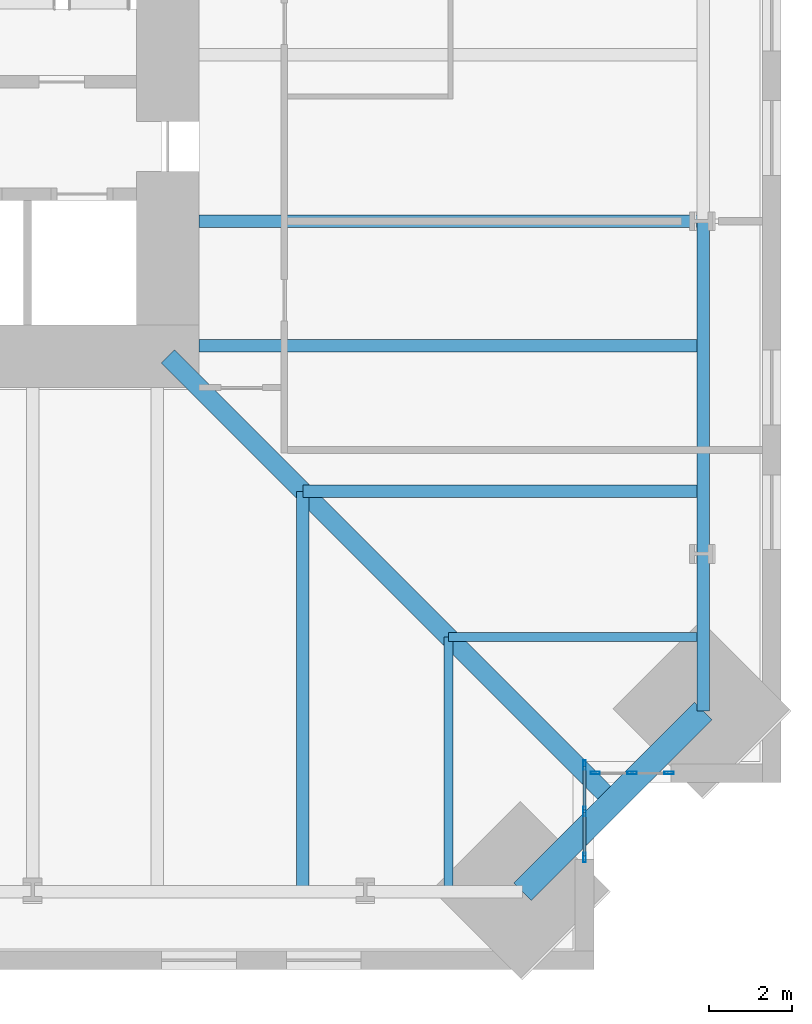
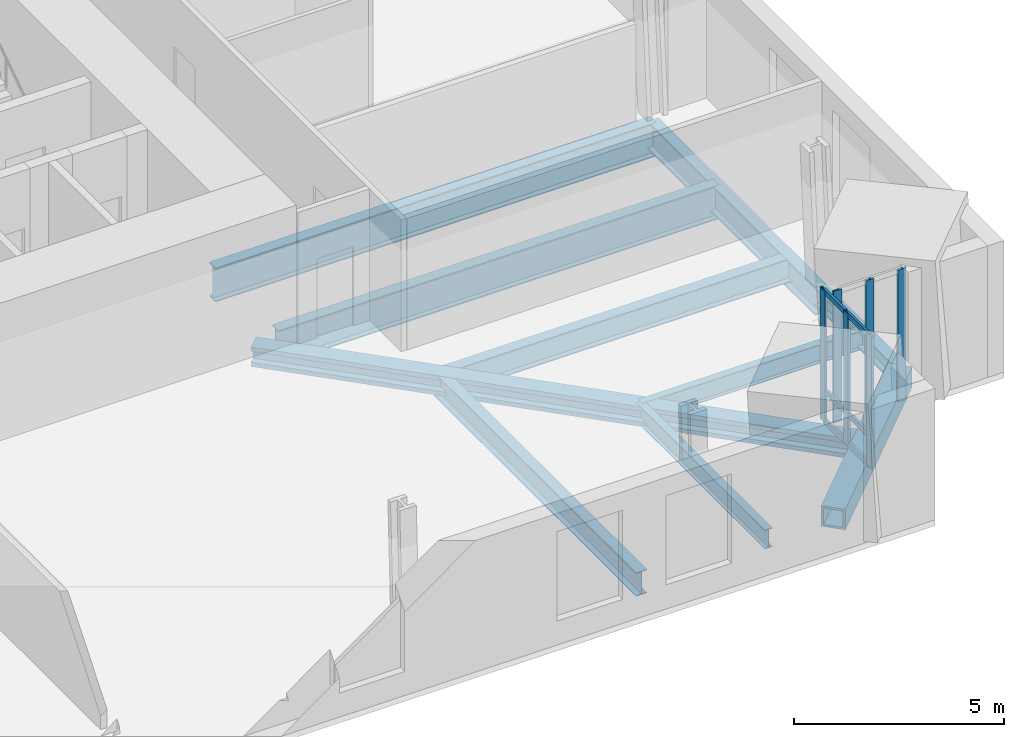
# One storey, part 4 of 18: 12 members, 10 beams, 2 elements without a shape of their own.
"""IFC4 building model written with IfcOpenShell, lengths in metres."""

from ifc_helpers import new_model, si_unit, direction, frame, origin, origin_2d, place, context, subcontext, project, spatial, hollow_rectangle, i_section, extrude, material, material_profile, profile_set, type_object, element, aggregate, save


model = new_model("IFC4")

# Units and contexts
model_context = context("Model", 3, precision=1e-05, world=origin(), true_north=direction((0.0, 1.0)))
body_context = subcontext(model_context, "Body", "Model", "MODEL_VIEW")
ifc_project = project(units=[si_unit("LENGTHUNIT", "METRE"), si_unit("AREAUNIT", "SQUARE_METRE"), si_unit("VOLUMEUNIT", "CUBIC_METRE"), si_unit("PLANEANGLEUNIT", "RADIAN"), si_unit("MASSUNIT", "GRAM", prefix="KILO")], contexts=[model_context])

# Site, building, storey
site_placement = place(None, origin())
site = spatial("IfcSite", under=ifc_project, at=site_placement, CompositionType="ELEMENT")
building_placement = place(site_placement, origin())
building = spatial("IfcBuilding", under=site, at=building_placement, Name="Peilmerk Tower", CompositionType="ELEMENT")
storey_placement = place(building_placement, frame((0.0, 0.0, 167.800048828125)))
storey = spatial("IfcBuildingStorey", under=building, at=storey_placement, Name="L35", CompositionType="ELEMENT", Elevation=167.800048828125)

# Beams
ifc_material_1 = material(Name="Steel S355", Category="steel")
ifc_material_profile_1 = material_profile(ifc_material_1, i_section(OverallWidth=0.2099609375, OverallDepth=0.550048828125, WebThickness=0.010986328125, FlangeThickness=0.01708984375, at=origin_2d()), Name="IPE 550")
ifc_profile_set_1 = profile_set([ifc_material_profile_1], Name="Steel S355")
beam_type_1 = type_object("IfcBeamType", Name="B12 IPE 550 floor beam", PredefinedType="BEAM", material=ifc_profile_set_1)
for number, where, z_axis, x_axis, name in (
    (1, (18.0, -18.0, -0.445068359375), (0.0, -1.0, 0.0), (1.0, 0.0, 0.0), "Floor beam L35"),
    (2, (18.0, -18.0, -0.445068359375), (1.0, 0.0, 0.0), (0.0, 1.0, 0.0), "Floor beam L35"),
):
    element("IfcBeam", number, at=place(storey_placement, frame(where, z_axis=z_axis, x_axis=x_axis)), inside=storey, type_object=beam_type_1, Name=name, PredefinedType="BEAM", context=body_context, shape_type="SweptSolid", body=[
        extrude(i_section(OverallWidth=0.2099609375, OverallDepth=0.550048828125, WebThickness=0.010986328125, FlangeThickness=0.01708984375, at=origin_2d()), origin(), (0.0, 0.0, 1.0), 6.130615234375),
    ])
ifc_material_profile_2 = material_profile(ifc_material_1, i_section(OverallWidth=0.300048828125, OverallDepth=0.989990234375, WebThickness=0.0166015625, FlangeThickness=0.031005859375, at=origin_2d()), Name="HEA 1000")
ifc_profile_set_2 = profile_set([ifc_material_profile_2], Name="Steel S355")
beam_type_2 = type_object("IfcBeamType", Name="B14 HEA 1000 floor girder", PredefinedType="BEAM", material=ifc_profile_set_2)
for number, where, z_axis, x_axis, name in (
    (3, (12.0, -11.0, -0.6650390625), (1.0, 0.0, 0.0), (0.0, 1.0, 0.0), "Floor beam L35"),
    (4, (12.0, -8.0, -0.6650390625), (1.0, 0.0, 0.0), (0.0, 1.0, 0.0), "Floor beam L35"),
):
    element("IfcBeam", number, at=place(storey_placement, frame(where, z_axis=z_axis, x_axis=x_axis)), inside=storey, type_object=beam_type_2, Name=name, PredefinedType="BEAM", context=body_context, shape_type="SweptSolid", body=[
        extrude(i_section(OverallWidth=0.300048828125, OverallDepth=0.989990234375, WebThickness=0.0166015625, FlangeThickness=0.031005859375, at=origin_2d()), origin(), (0.0, 0.0, 1.0), 12.130615234375),
    ])
ifc_material_profile_3 = material_profile(ifc_material_1, i_section(OverallWidth=0.302978515625, OverallDepth=0.81396484375, WebThickness=0.02099609375, FlangeThickness=0.0400390625, at=origin_2d()), Name="HEM 800")
ifc_profile_set_3 = profile_set([ifc_material_profile_3], Name="Steel S355")
beam_type_3 = type_object("IfcBeamType", Name="B15 HEM 800 edge beam", PredefinedType="SPANDREL", material=ifc_profile_set_3)
beam_1_placement = place(storey_placement, frame((24.130615234375, -16.0, -0.5771484375), z_axis=(0.0, 1.0, 0.0), x_axis=(-1.0, 0.0, 0.0)))
element("IfcBeam", 5, at=beam_1_placement, inside=storey, type_object=beam_type_3, Name="Edge beam L35", PredefinedType="SPANDREL", context=body_context, shape_type="SweptSolid", body=[
    extrude(i_section(OverallWidth=0.302978515625, OverallDepth=0.81396484375, WebThickness=0.02099609375, FlangeThickness=0.0400390625, at=origin_2d()), origin(), (0.0, 0.0, 1.0), 8.0),
])
ifc_material_profile_4 = material_profile(ifc_material_1, i_section(OverallWidth=0.300048828125, OverallDepth=0.68994140625, WebThickness=0.014404296875, FlangeThickness=0.027099609375, at=origin_2d()), Name="HEA 700")
ifc_profile_set_4 = profile_set([ifc_material_profile_4], Name="Steel S355")
beam_type_4 = type_object("IfcBeamType", Name="B16 HEA 700 floor beam", PredefinedType="BEAM", material=ifc_profile_set_4)
for number, where, z_axis, x_axis, name in (
    (6, (14.5, -14.5, -0.51513671875), (0.0, -1.0, 0.0), (1.0, 0.0, 0.0), "Floor beam L35"),
    (7, (14.5, -14.5, -0.51513671875), (1.0, 0.0, 0.0), (0.0, 1.0, 0.0), "Floor beam L35"),
):
    element("IfcBeam", number, at=place(storey_placement, frame(where, z_axis=z_axis, x_axis=x_axis)), inside=storey, type_object=beam_type_4, Name=name, PredefinedType="BEAM", context=body_context, shape_type="SweptSolid", body=[
        extrude(i_section(OverallWidth=0.300048828125, OverallDepth=0.68994140625, WebThickness=0.014404296875, FlangeThickness=0.027099609375, at=origin_2d()), origin(), (0.0, 0.0, 1.0), 9.630615234375),
    ])
ifc_material_2 = material(Name="Steel S460", Category="steel")
ifc_material_profile_5 = material_profile(ifc_material_2, hollow_rectangle(XDim=0.60009765625, YDim=0.60009765625, WallThickness=0.06005859375, at=origin_2d()), Name="BOX 600x600x60")
ifc_profile_set_5 = profile_set([ifc_material_profile_5], Name="Steel S460")
beam_type_5 = type_object("IfcBeamType", Name="B20 BOX 600x600x60 notch beam", PredefinedType="SPANDREL", material=ifc_profile_set_5)
beam_2_placement = place(storey_placement, frame((24.130615234375, -19.78076171875, -0.469970703125), z_axis=(-0.707106781187, -0.707106781187, 0.0), x_axis=(0.707106781187, -0.707106781187, 0.0)))
element("IfcBeam", 8, at=beam_2_placement, inside=storey, type_object=beam_type_5, Name="Notch beam L35", PredefinedType="SPANDREL", context=body_context, shape_type="SweptSolid", body=[
    extrude(hollow_rectangle(XDim=0.60009765625, YDim=0.60009765625, WallThickness=0.06005859375, at=origin_2d()), origin(), (0.0, 0.0, 1.0), 6.151611328125),
])
ifc_material_profile_6 = material_profile(ifc_material_1, i_section(OverallWidth=0.305908203125, OverallDepth=0.52392578125, WebThickness=0.02099609375, FlangeThickness=0.0400390625, at=origin_2d()), Name="HEM 500")
ifc_profile_set_6 = profile_set([ifc_material_profile_6], Name="Steel S355")
beam_type_6 = type_object("IfcBeamType", Name="B33 HEM 500 edge beam", PredefinedType="SPANDREL", material=ifc_profile_set_6)
beam_3_placement = place(storey_placement, frame((24.130615234375, -19.78076171875, -0.43212890625), z_axis=(0.0, 1.0, 0.0), x_axis=(-1.0, 0.0, 0.0)))
element("IfcBeam", 9, at=beam_3_placement, inside=storey, type_object=beam_type_6, Name="Edge beam L35", PredefinedType="SPANDREL", context=body_context, shape_type="SweptSolid", body=[
    extrude(i_section(OverallWidth=0.305908203125, OverallDepth=0.52392578125, WebThickness=0.02099609375, FlangeThickness=0.0400390625, at=origin_2d()), origin(), (0.0, 0.0, 1.0), 3.78076171875),
])
ifc_material_profile_7 = material_profile(ifc_material_2, i_section(OverallWidth=0.4541015625, OverallDepth=0.569091796875, WebThickness=0.077880859375, FlangeThickness=0.125, at=origin_2d()), Name="HD 400x1086")
ifc_profile_set_7 = profile_set([ifc_material_profile_7], Name="Steel S460")
beam_type_7 = type_object("IfcBeamType", Name="B9 HD 400x1086 corner girder", PredefinedType="BEAM", material=ifc_profile_set_7)
beam_4_placement = place(storey_placement, frame((11.25, -11.25, -0.45458984375), z_axis=(0.707106781187, -0.707106781187, 0.0), x_axis=(0.707106781187, 0.707106781187, 0.0)))
element("IfcBeam", 10, at=beam_4_placement, inside=storey, type_object=beam_type_7, Name="Corner girder L35", PredefinedType="BEAM", context=body_context, shape_type="SweptSolid", body=[
    extrude(i_section(OverallWidth=0.4541015625, OverallDepth=0.569091796875, WebThickness=0.077880859375, FlangeThickness=0.125, at=origin_2d()), origin(), (0.0, 0.0, 1.0), 15.139892578125),
])

# Curtain wall, members
ifc_material_3 = material(Name="Aluminium stick curtain wall", Category="aluminium")
curtain_wall_type = type_object("IfcCurtainWallType", Name="CW3 stick curtain wall, 2250 module", PredefinedType="NOTDEFINED", material=ifc_material_3)
curtain_wall_1_placement = place(storey_placement, origin())
curtain_wall_1 = element("IfcCurtainWall", 11, at=curtain_wall_1_placement, inside=storey, type_object=curtain_wall_type, Name="Curtain wall CW3 SEA L35", PredefinedType="NOTDEFINED")
ifc_material_4 = material(Name="Aluminium EN AW-6063 T6", Category="aluminium")
ifc_material_profile_8 = material_profile(ifc_material_4, hollow_rectangle(XDim=0.06494140625, YDim=0.22509765625, WallThickness=0.00390625, at=origin_2d()), Name="AL 225x65x4")
ifc_profile_set_8 = profile_set([ifc_material_profile_8], Name="Aluminium EN AW-6063 T6")
member_type_1 = type_object("IfcMemberType", Name="CW3-M AL 225x65x4 mullion", PredefinedType="MULLION", material=ifc_profile_set_8)
member_1_placement = place(storey_placement, frame((21.27490234375, -21.08251953125, 0.0), z_axis=(0.0, 0.0, 1.0), x_axis=(1.0, 0.0, 0.0)))
member_1 = element("IfcMember", 12, at=member_1_placement, type_object=member_type_1, Name="CW3 mullion 1", PredefinedType="MULLION", context=body_context, shape_type="SweptSolid", body=[
    extrude(hollow_rectangle(XDim=0.06494140625, YDim=0.22509765625, WallThickness=0.00390625, at=origin_2d()), origin(), (0.0, 0.0, 1.0), 3.829833984375),
])
member_2_placement = place(storey_placement, frame((21.27490234375, -22.1943359375, 0.0), z_axis=(0.0, 0.0, 1.0), x_axis=(1.0, 0.0, 0.0)))
member_2 = element("IfcMember", 13, at=member_2_placement, type_object=member_type_1, Name="CW3 mullion 2", PredefinedType="MULLION", context=body_context, shape_type="SweptSolid", body=[
    extrude(hollow_rectangle(XDim=0.06494140625, YDim=0.22509765625, WallThickness=0.00390625, at=origin_2d()), origin(), (0.0, 0.0, 1.0), 3.829833984375),
])
member_3_placement = place(storey_placement, frame((21.27490234375, -23.30615234375, 0.0), z_axis=(0.0, 0.0, 1.0), x_axis=(1.0, 0.0, 0.0)))
member_3 = element("IfcMember", 14, at=member_3_placement, type_object=member_type_1, Name="CW3 mullion 3", PredefinedType="MULLION", context=body_context, shape_type="SweptSolid", body=[
    extrude(hollow_rectangle(XDim=0.06494140625, YDim=0.22509765625, WallThickness=0.00390625, at=origin_2d()), origin(), (0.0, 0.0, 1.0), 3.829833984375),
])

curtain_wall_2_placement = place(storey_placement, origin())
curtain_wall_2 = element("IfcCurtainWall", 15, at=curtain_wall_2_placement, inside=storey, type_object=curtain_wall_type, Name="Curtain wall CW3 SEB L35", PredefinedType="NOTDEFINED")
member_4_placement = place(storey_placement, frame((21.532470703125, -21.27490234375, 0.0), z_axis=(0.0, 0.0, 1.0), x_axis=(0.0, 1.0, 0.0)))
member_4 = element("IfcMember", 16, at=member_4_placement, type_object=member_type_1, Name="CW3 mullion 1", PredefinedType="MULLION", context=body_context, shape_type="SweptSolid", body=[
    extrude(hollow_rectangle(XDim=0.06494140625, YDim=0.22509765625, WallThickness=0.00390625, at=origin_2d()), origin(), (0.0, 0.0, 1.0), 3.829833984375),
])
member_5_placement = place(storey_placement, frame((22.41943359375, -21.27490234375, 0.0), z_axis=(0.0, 0.0, 1.0), x_axis=(0.0, 1.0, 0.0)))
member_5 = element("IfcMember", 17, at=member_5_placement, type_object=member_type_1, Name="CW3 mullion 2", PredefinedType="MULLION", context=body_context, shape_type="SweptSolid", body=[
    extrude(hollow_rectangle(XDim=0.06494140625, YDim=0.22509765625, WallThickness=0.00390625, at=origin_2d()), origin(), (0.0, 0.0, 1.0), 3.829833984375),
])
member_6_placement = place(storey_placement, frame((23.30615234375, -21.27490234375, 0.0), z_axis=(0.0, 0.0, 1.0), x_axis=(0.0, 1.0, 0.0)))
member_6 = element("IfcMember", 18, at=member_6_placement, type_object=member_type_1, Name="CW3 mullion 3", PredefinedType="MULLION", context=body_context, shape_type="SweptSolid", body=[
    extrude(hollow_rectangle(XDim=0.06494140625, YDim=0.22509765625, WallThickness=0.00390625, at=origin_2d()), origin(), (0.0, 0.0, 1.0), 3.829833984375),
])
aggregate(curtain_wall_2, [member_4, member_5, member_6])

# Member
ifc_material_profile_9 = material_profile(ifc_material_4, hollow_rectangle(XDim=0.06494140625, YDim=0.14990234375, WallThickness=0.0029296875, at=origin_2d()), Name="AL 150x65x3")
ifc_profile_set_9 = profile_set([ifc_material_profile_9], Name="Aluminium EN AW-6063 T6")
member_type_2 = type_object("IfcMemberType", Name="CW3-T AL 150x65x3 transom", PredefinedType="USERDEFINED", material=ifc_profile_set_9)
member_7_placement = place(storey_placement, frame((21.27490234375, -21.114990234375, 0.032470703125), z_axis=(0.0, -1.0, 0.0), x_axis=(1.0, 0.0, 0.0)))
member_7 = element("IfcMember", 19, at=member_7_placement, type_object=member_type_2, Name="CW3 transom 1.1", ObjectType="TRANSOM", PredefinedType="USERDEFINED", context=body_context, shape_type="SweptSolid", body=[
    extrude(hollow_rectangle(XDim=0.06494140625, YDim=0.14990234375, WallThickness=0.0029296875, at=origin_2d()), origin(), (0.0, 0.0, 1.0), 1.046875),
])

member_8_placement = place(storey_placement, frame((21.27490234375, -21.114990234375, 0.89990234375), z_axis=(0.0, -1.0, 0.0), x_axis=(1.0, 0.0, 0.0)))
member_8 = element("IfcMember", 20, at=member_8_placement, type_object=member_type_2, Name="CW3 transom 1.2", ObjectType="TRANSOM", PredefinedType="USERDEFINED", context=body_context, shape_type="SweptSolid", body=[
    extrude(hollow_rectangle(XDim=0.06494140625, YDim=0.14990234375, WallThickness=0.0029296875, at=origin_2d()), origin(), (0.0, 0.0, 1.0), 1.046875),
])

member_9_placement = place(storey_placement, frame((21.27490234375, -21.114990234375, 3.79736328125), z_axis=(0.0, -1.0, 0.0), x_axis=(1.0, 0.0, 0.0)))
member_9 = element("IfcMember", 21, at=member_9_placement, type_object=member_type_2, Name="CW3 transom 1.3", ObjectType="TRANSOM", PredefinedType="USERDEFINED", context=body_context, shape_type="SweptSolid", body=[
    extrude(hollow_rectangle(XDim=0.06494140625, YDim=0.14990234375, WallThickness=0.0029296875, at=origin_2d()), origin(), (0.0, 0.0, 1.0), 1.046875),
])

member_10_placement = place(storey_placement, frame((21.27490234375, -22.226806640625, 0.032470703125), z_axis=(0.0, -1.0, 0.0), x_axis=(1.0, 0.0, 0.0)))
member_10 = element("IfcMember", 22, at=member_10_placement, type_object=member_type_2, Name="CW3 transom 2.1", ObjectType="TRANSOM", PredefinedType="USERDEFINED", context=body_context, shape_type="SweptSolid", body=[
    extrude(hollow_rectangle(XDim=0.06494140625, YDim=0.14990234375, WallThickness=0.0029296875, at=origin_2d()), origin(), (0.0, 0.0, 1.0), 1.046875),
])

member_11_placement = place(storey_placement, frame((21.27490234375, -22.226806640625, 0.89990234375), z_axis=(0.0, -1.0, 0.0), x_axis=(1.0, 0.0, 0.0)))
member_11 = element("IfcMember", 23, at=member_11_placement, type_object=member_type_2, Name="CW3 transom 2.2", ObjectType="TRANSOM", PredefinedType="USERDEFINED", context=body_context, shape_type="SweptSolid", body=[
    extrude(hollow_rectangle(XDim=0.06494140625, YDim=0.14990234375, WallThickness=0.0029296875, at=origin_2d()), origin(), (0.0, 0.0, 1.0), 1.046875),
])

member_12_placement = place(storey_placement, frame((21.27490234375, -22.226806640625, 3.79736328125), z_axis=(0.0, -1.0, 0.0), x_axis=(1.0, 0.0, 0.0)))
member_12 = element("IfcMember", 24, at=member_12_placement, type_object=member_type_2, Name="CW3 transom 2.3", ObjectType="TRANSOM", PredefinedType="USERDEFINED", context=body_context, shape_type="SweptSolid", body=[
    extrude(hollow_rectangle(XDim=0.06494140625, YDim=0.14990234375, WallThickness=0.0029296875, at=origin_2d()), origin(), (0.0, 0.0, 1.0), 1.046875),
])

aggregate(curtain_wall_1, [member_1, member_2, member_3, member_7, member_8, member_9, member_10, member_11, member_12])

save(model, "model.ifc")
